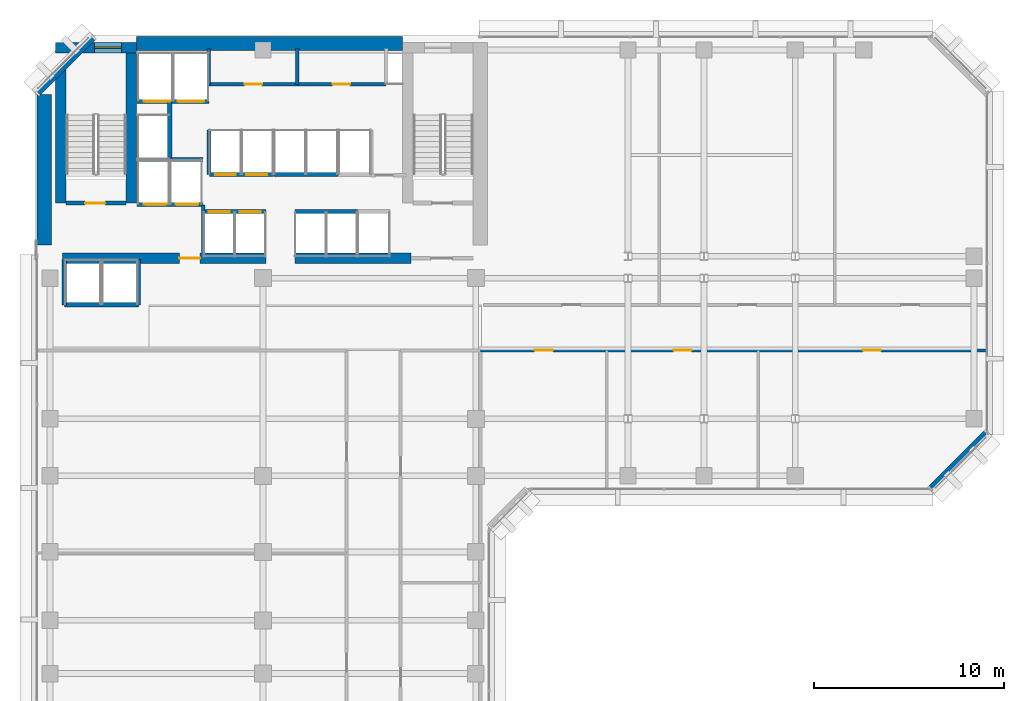
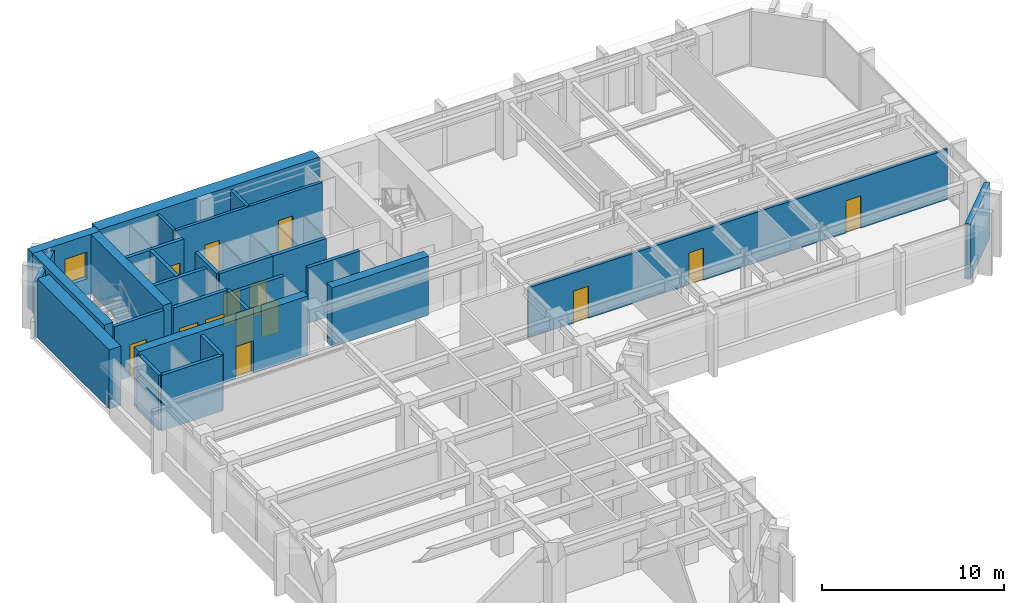
# One storey, part 7 of 12: 27 walls, 15 doors, 1 window, 16 openings.
"""IFC4 building model written with IfcOpenShell, lengths in metres."""

from ifc_helpers import new_model, si_unit, direction, frame, frame_2d, origin, place, context, subcontext, project, spatial, rectangle, extrude, material, layer, layer_set, type_object, element, fill, save


model = new_model("IFC4")

# Units and contexts
model_context = context("Model", 3, precision=1e-05, world=origin(), true_north=direction((0.0, 1.0)))
body_context = subcontext(model_context, "Body", "Model", "MODEL_VIEW")
ifc_project = project(units=[si_unit("LENGTHUNIT", "METRE"), si_unit("AREAUNIT", "SQUARE_METRE"), si_unit("VOLUMEUNIT", "CUBIC_METRE"), si_unit("PLANEANGLEUNIT", "RADIAN"), si_unit("MASSUNIT", "GRAM", prefix="KILO")], contexts=[model_context])

# Site, building, storey
site_placement = place(None, origin())
site = spatial("IfcSite", under=ifc_project, at=site_placement, CompositionType="ELEMENT")
building_placement = place(site_placement, origin())
building = spatial("IfcBuilding", under=site, at=building_placement, Name="Kefirva Bronze Tower", CompositionType="ELEMENT")
storey_placement = place(building_placement, frame((0.0, 0.0, 122.429931640625)))
storey = spatial("IfcBuildingStorey", under=building, at=storey_placement, Name="L29", CompositionType="ELEMENT", Elevation=122.429931640625)

# Wall, opening, door
ifc_material_1 = material(Name="Gypsum fireboard shaftwall")
ifc_layer_1 = layer(ifc_material_1, 0.219970703125, Name="Gypsum fireboard shaftwall")
ifc_layer_set_1 = layer_set([ifc_layer_1], Name="Gypsum fireboard shaftwall")
wall_type_1 = type_object("IfcWallType", Name="Fire-Rated Shaft Enclosure Wall 220mm", PredefinedType="PARTITIONING", material=ifc_layer_set_1)
wall_1_placement = place(storey_placement, frame((1.64990234375, 37.14990234375, 0.0), z_axis=(0.0, 0.0, 1.0), x_axis=(1.0, 0.0, 0.0)))
wall_1 = element("IfcWall", 1, at=wall_1_placement, inside=storey, type_object=wall_type_1, Name="L29 Partition W-L29-ST1S", PredefinedType="PARTITIONING", context=body_context, shape_type="SweptSolid", body=[
    extrude(rectangle(XDim=3.150146484375, YDim=0.219970703125, at=frame_2d((1.5751953125, 0.0))), origin(), (0.0, 0.0, 1.0), 3.7099609375),
])
opening_1_placement = place(wall_1_placement, frame((2.050048828125, 0.0, 0.0), z_axis=(0.0, 0.0, 1.0), x_axis=(-1.0, 0.0, 0.0)))
opening_1 = element("IfcOpeningElement", 2, at=opening_1_placement, cuts=wall_1, Name="Opening L29-D001", PredefinedType="OPENING", context=body_context, shape_type="SweptSolid", body=[
    extrude(rectangle(XDim=1.050048828125, YDim=2.14990234375, at=frame_2d((0.52490234375, 1.074951171875))), frame((0.0, 0.1201171875, 0.0), z_axis=(0.0, -1.0, 0.0), x_axis=(1.0, 0.0, 0.0)), (0.0, 0.0, 1.0), 0.239990234375),
])
ifc_material_2 = material(Name="Painted galvanized steel", Category="steel")
door_type_1 = type_object("IfcDoorType", Name="Fire Stair Enclosure Door 1050x2150 FD90S", OperationType="NOTDEFINED", PredefinedType="DOOR", material=ifc_material_2)
door_1_placement = place(opening_1_placement, origin())
door_1 = element("IfcDoor", 3, at=door_1_placement, inside=storey, type_object=door_type_1, Name="Door L29-D001", OperationType="SINGLE_SWING_LEFT", OverallHeight=2.14990234375, OverallWidth=1.050048828125, PredefinedType="DOOR", context=body_context, shape_type="SweptSolid", body=[
    extrude(rectangle(XDim=1.050048828125, YDim=2.14990234375, at=frame_2d((0.52490234375, 1.074951171875))), frame((0.0, 0.02490234375, 0.0), z_axis=(0.0, -1.0, 0.0), x_axis=(1.0, 0.0, 0.0)), (0.0, 0.0, 1.0), 0.050048828125),
])
fill(opening_1, door_1)

# Wall, openings, doors
wall_2_placement = place(storey_placement, frame((5.3798828125, 37.080078125, 0.0), z_axis=(0.0, 0.0, 1.0), x_axis=(1.0, 0.0, 0.0)))
wall_2 = element("IfcWall", 4, at=wall_2_placement, inside=storey, type_object=wall_type_1, Name="L29 Partition W-L29-FFS", PredefinedType="PARTITIONING", context=body_context, shape_type="SweptSolid", body=[
    extrude(rectangle(XDim=3.460205078125, YDim=0.219970703125, at=frame_2d((1.72998046875, 0.0))), origin(), (0.0, 0.0, 1.0), 3.7099609375),
])
opening_2_placement = place(wall_2_placement, frame((1.550048828125, 0.0, 0.0), z_axis=(0.0, 0.0, 1.0), x_axis=(-1.0, 0.0, 0.0)))
opening_2 = element("IfcOpeningElement", 5, at=opening_2_placement, cuts=wall_2, Name="Opening L29-LD-FF1", PredefinedType="OPENING", context=body_context, shape_type="SweptSolid", body=[
    extrude(rectangle(XDim=1.199951171875, YDim=2.199951171875, at=frame_2d((0.60009765625, 1.10009765625))), frame((0.0, 0.1201171875, 0.0), z_axis=(0.0, -1.0, 0.0), x_axis=(1.0, 0.0, 0.0)), (0.0, 0.0, 1.0), 0.239990234375),
])
opening_3_placement = place(wall_2_placement, frame((3.219970703125, 0.0, 0.0), z_axis=(0.0, 0.0, 1.0), x_axis=(-1.0, 0.0, 0.0)))
opening_3 = element("IfcOpeningElement", 6, at=opening_3_placement, cuts=wall_2, Name="Opening L29-LD-FF2", PredefinedType="OPENING", context=body_context, shape_type="SweptSolid", body=[
    extrude(rectangle(XDim=1.199951171875, YDim=2.199951171875, at=frame_2d((0.60009765625, 1.10009765625))), frame((0.0, 0.1201171875, 0.0), z_axis=(0.0, -1.0, 0.0), x_axis=(1.0, 0.0, 0.0)), (0.0, 0.0, 1.0), 0.239990234375),
])
ifc_material_3 = material(Name="Stainless steel 316", Category="steel")
door_type_2 = type_object("IfcDoorType", Name="Firefighting Lift Sliding Door 1200x2200", OperationType="SLIDING_TO_RIGHT", PredefinedType="DOOR", material=ifc_material_3)
door_2_placement = place(opening_2_placement, origin())
door_2 = element("IfcDoor", 7, at=door_2_placement, inside=storey, type_object=door_type_2, Name="Door L29-LD-FF1", OperationType="SLIDING_TO_RIGHT", OverallHeight=2.199951171875, OverallWidth=1.199951171875, PredefinedType="DOOR", context=body_context, shape_type="SweptSolid", body=[
    extrude(rectangle(XDim=1.199951171875, YDim=2.199951171875, at=frame_2d((0.60009765625, 1.10009765625))), frame((0.0, 0.02490234375, 0.0), z_axis=(0.0, -1.0, 0.0), x_axis=(1.0, 0.0, 0.0)), (0.0, 0.0, 1.0), 0.050048828125),
])
fill(opening_2, door_2)
door_3_placement = place(opening_3_placement, origin())
door_3 = element("IfcDoor", 8, at=door_3_placement, inside=storey, type_object=door_type_2, Name="Door L29-LD-FF2", OperationType="SLIDING_TO_RIGHT", OverallHeight=2.199951171875, OverallWidth=1.199951171875, PredefinedType="DOOR", context=body_context, shape_type="SweptSolid", body=[
    extrude(rectangle(XDim=1.199951171875, YDim=2.199951171875, at=frame_2d((0.60009765625, 1.10009765625))), frame((0.0, 0.02490234375, 0.0), z_axis=(0.0, -1.0, 0.0), x_axis=(1.0, 0.0, 0.0)), (0.0, 0.0, 1.0), 0.050048828125),
])
fill(opening_3, door_3)

# Wall
wall_3_placement = place(storey_placement, frame((5.3798828125, 39.449951171875, 0.0), z_axis=(0.0, 0.0, 1.0), x_axis=(1.0, 0.0, 0.0)))
element("IfcWall", 9, at=wall_3_placement, inside=storey, type_object=wall_type_1, Name="L29 Partition W-L29-FFN", PredefinedType="PARTITIONING", context=body_context, shape_type="SweptSolid", body=[
    extrude(rectangle(XDim=3.460205078125, YDim=0.219970703125, at=frame_2d((1.72998046875, 0.0))), origin(), (0.0, 0.0, 1.0), 3.7099609375),
])

# Wall, openings, doors
wall_4_placement = place(storey_placement, frame((5.3798828125, 42.5, 0.0), z_axis=(0.0, 0.0, 1.0), x_axis=(1.0, 0.0, 0.0)))
wall_4 = element("IfcWall", 10, at=wall_4_placement, inside=storey, type_object=wall_type_1, Name="L29 Partition W-L29-SVS", PredefinedType="PARTITIONING", context=body_context, shape_type="SweptSolid", body=[
    extrude(rectangle(XDim=3.77001953125, YDim=0.219970703125, at=frame_2d((1.885009765625, 0.0))), origin(), (0.0, 0.0, 1.0), 3.7099609375),
])
opening_4_placement = place(wall_4_placement, frame((1.75, 0.0, 0.0), z_axis=(0.0, 0.0, 1.0), x_axis=(-1.0, 0.0, 0.0)))
opening_4 = element("IfcOpeningElement", 11, at=opening_4_placement, cuts=wall_4, Name="Opening L29-LD-SV1", PredefinedType="OPENING", context=body_context, shape_type="SweptSolid", body=[
    extrude(rectangle(XDim=1.39990234375, YDim=2.199951171875, at=frame_2d((0.699951171875, 1.10009765625))), frame((0.0, 0.1201171875, 0.0), z_axis=(0.0, -1.0, 0.0), x_axis=(1.0, 0.0, 0.0)), (0.0, 0.0, 1.0), 0.239990234375),
])
opening_5_placement = place(wall_4_placement, frame((3.52978515625, 0.0, 0.0), z_axis=(0.0, 0.0, 1.0), x_axis=(-1.0, 0.0, 0.0)))
opening_5 = element("IfcOpeningElement", 12, at=opening_5_placement, cuts=wall_4, Name="Opening L29-LD-SV2", PredefinedType="OPENING", context=body_context, shape_type="SweptSolid", body=[
    extrude(rectangle(XDim=1.39990234375, YDim=2.199951171875, at=frame_2d((0.699951171875, 1.10009765625))), frame((0.0, 0.1201171875, 0.0), z_axis=(0.0, -1.0, 0.0), x_axis=(1.0, 0.0, 0.0)), (0.0, 0.0, 1.0), 0.239990234375),
])
door_type_3 = type_object("IfcDoorType", Name="Goods Lift Bi-Parting Sliding Door 1400x2200", OperationType="SLIDING_TO_LEFT", PredefinedType="DOOR", material=ifc_material_3)
door_4_placement = place(opening_4_placement, origin())
door_4 = element("IfcDoor", 13, at=door_4_placement, inside=storey, type_object=door_type_3, Name="Door L29-LD-SV1", OperationType="SLIDING_TO_LEFT", OverallHeight=2.199951171875, OverallWidth=1.39990234375, PredefinedType="DOOR", context=body_context, shape_type="SweptSolid", body=[
    extrude(rectangle(XDim=1.39990234375, YDim=2.199951171875, at=frame_2d((0.699951171875, 1.10009765625))), frame((0.0, 0.02490234375, 0.0), z_axis=(0.0, -1.0, 0.0), x_axis=(1.0, 0.0, 0.0)), (0.0, 0.0, 1.0), 0.050048828125),
])
fill(opening_4, door_4)
door_5_placement = place(opening_5_placement, origin())
door_5 = element("IfcDoor", 14, at=door_5_placement, inside=storey, type_object=door_type_3, Name="Door L29-LD-SV2", OperationType="SLIDING_TO_LEFT", OverallHeight=2.199951171875, OverallWidth=1.39990234375, PredefinedType="DOOR", context=body_context, shape_type="SweptSolid", body=[
    extrude(rectangle(XDim=1.39990234375, YDim=2.199951171875, at=frame_2d((0.699951171875, 1.10009765625))), frame((0.0, 0.02490234375, 0.0), z_axis=(0.0, -1.0, 0.0), x_axis=(1.0, 0.0, 0.0)), (0.0, 0.0, 1.0), 0.050048828125),
])
fill(opening_5, door_5)

# Walls
wall_5_placement = place(storey_placement, frame((7.10009765625, 39.52001953125, 0.0), z_axis=(0.0, 0.0, 1.0), x_axis=(0.0, 1.0, 0.0)))
element("IfcWall", 15, at=wall_5_placement, inside=storey, type_object=wall_type_1, Name="L29 Partition W-L29-HP3E", PredefinedType="PARTITIONING", context=body_context, shape_type="SweptSolid", body=[
    extrude(rectangle(XDim=2.929931640625, YDim=0.219970703125, at=frame_2d((1.46484375, 0.0))), origin(), (0.0, 0.0, 1.0), 3.7099609375),
])
wall_6_placement = place(storey_placement, frame((1.550048828125, 31.800048828125, 0.0), z_axis=(0.0, 0.0, 1.0), x_axis=(1.0, 0.0, 0.0)))
element("IfcWall", 16, at=wall_6_placement, inside=storey, type_object=wall_type_1, Name="L29 Partition W-L29-OBS", PredefinedType="PARTITIONING", context=body_context, shape_type="SweptSolid", body=[
    extrude(rectangle(XDim=3.89990234375, YDim=0.219970703125, at=frame_2d((1.949951171875, 0.0))), origin(), (0.0, 0.0, 1.0), 3.7099609375),
])
for number, where, z_axis, x_axis, name in (
    (17, (1.550048828125, 31.800048828125, 0.0), (0.0, 0.0, 1.0), (0.0, 1.0, 0.0), "L29 Partition W-L29-OBW"),
    (18, (5.449951171875, 31.800048828125, 0.0), (0.0, 0.0, 1.0), (0.0, 1.0, 0.0), "L29 Partition W-L29-OBE"),
):
    element("IfcWall", number, at=place(storey_placement, frame(where, z_axis=z_axis, x_axis=x_axis)), inside=storey, type_object=wall_type_1, Name=name, PredefinedType="PARTITIONING", context=body_context, shape_type="SweptSolid", body=[
        extrude(rectangle(XDim=2.3798828125, YDim=0.219970703125, at=frame_2d((1.18994140625, 0.0))), origin(), (0.0, 0.0, 1.0), 3.7099609375),
    ])
wall_7_placement = place(storey_placement, frame((9.159912109375, 38.64990234375, 0.0), z_axis=(0.0, 0.0, 1.0), x_axis=(0.0, 1.0, 0.0)))
element("IfcWall", 19, at=wall_7_placement, inside=storey, type_object=wall_type_1, Name="L29 Partition W-L29-LP3W", PredefinedType="PARTITIONING", context=body_context, shape_type="SweptSolid", body=[
    extrude(rectangle(XDim=2.35009765625, YDim=0.199951171875, at=frame_2d((1.175048828125, 0.0))), origin(), (0.0, 0.0, 1.0), 3.7099609375),
])

# Wall, openings, doors
wall_8_placement = place(storey_placement, frame((8.89990234375, 36.699951171875, 0.0), z_axis=(0.0, 0.0, 1.0), x_axis=(1.0, 0.0, 0.0)))
wall_8 = element("IfcWall", 20, at=wall_8_placement, inside=storey, type_object=wall_type_1, Name="L29 Partition W-L29-LPS", PredefinedType="PARTITIONING", context=body_context, shape_type="SweptSolid", body=[
    extrude(rectangle(XDim=3.260009765625, YDim=0.219970703125, at=frame_2d((1.6298828125, 0.0))), origin(), (0.0, 0.0, 1.0), 3.7099609375),
])
opening_6_placement = place(wall_8_placement, frame((0.260009765625, 0.0, 0.0)))
opening_6 = element("IfcOpeningElement", 21, at=opening_6_placement, cuts=wall_8, Name="Opening L29-LD-LP1", PredefinedType="OPENING", context=body_context, shape_type="SweptSolid", body=[
    extrude(rectangle(XDim=1.10009765625, YDim=2.199951171875, at=frame_2d((0.550048828125, 1.10009765625))), frame((0.0, 0.1201171875, 0.0), z_axis=(0.0, -1.0, 0.0), x_axis=(1.0, 0.0, 0.0)), (0.0, 0.0, 1.0), 0.239990234375),
])
opening_7_placement = place(wall_8_placement, frame((1.8798828125, 0.0, 0.0)))
opening_7 = element("IfcOpeningElement", 22, at=opening_7_placement, cuts=wall_8, Name="Opening L29-LD-LP2", PredefinedType="OPENING", context=body_context, shape_type="SweptSolid", body=[
    extrude(rectangle(XDim=1.10009765625, YDim=2.199951171875, at=frame_2d((0.550048828125, 1.10009765625))), frame((0.0, 0.1201171875, 0.0), z_axis=(0.0, -1.0, 0.0), x_axis=(1.0, 0.0, 0.0)), (0.0, 0.0, 1.0), 0.239990234375),
])
door_type_4 = type_object("IfcDoorType", Name="Passenger Lift Sliding Landing Door 1100x2200", OperationType="SLIDING_TO_LEFT", PredefinedType="DOOR", material=ifc_material_3)
door_6_placement = place(opening_6_placement, origin())
door_6 = element("IfcDoor", 23, at=door_6_placement, inside=storey, type_object=door_type_4, Name="Door L29-LD-LP1", OperationType="SLIDING_TO_LEFT", OverallHeight=2.199951171875, OverallWidth=1.10009765625, PredefinedType="DOOR", context=body_context, shape_type="SweptSolid", body=[
    extrude(rectangle(XDim=1.10009765625, YDim=2.199951171875, at=frame_2d((0.550048828125, 1.10009765625))), frame((0.0, 0.02490234375, 0.0), z_axis=(0.0, -1.0, 0.0), x_axis=(1.0, 0.0, 0.0)), (0.0, 0.0, 1.0), 0.050048828125),
])
fill(opening_6, door_6)
door_7_placement = place(opening_7_placement, origin())
door_7 = element("IfcDoor", 24, at=door_7_placement, inside=storey, type_object=door_type_4, Name="Door L29-LD-LP2", OperationType="SLIDING_TO_LEFT", OverallHeight=2.199951171875, OverallWidth=1.10009765625, PredefinedType="DOOR", context=body_context, shape_type="SweptSolid", body=[
    extrude(rectangle(XDim=1.10009765625, YDim=2.199951171875, at=frame_2d((0.550048828125, 1.10009765625))), frame((0.0, 0.02490234375, 0.0), z_axis=(0.0, -1.0, 0.0), x_axis=(1.0, 0.0, 0.0)), (0.0, 0.0, 1.0), 0.050048828125),
])
fill(opening_7, door_7)

wall_9_placement = place(storey_placement, frame((9.179931640625, 38.64990234375, 0.0), z_axis=(0.0, 0.0, 1.0), x_axis=(1.0, 0.0, 0.0)))
wall_9 = element("IfcWall", 25, at=wall_9_placement, inside=storey, type_object=wall_type_1, Name="L29 Partition W-L29-LPN", PredefinedType="PARTITIONING", context=body_context, shape_type="SweptSolid", body=[
    extrude(rectangle(XDim=3.380126953125, YDim=0.219970703125, at=frame_2d((1.68994140625, 0.0))), origin(), (0.0, 0.0, 1.0), 3.7099609375),
])
opening_8_placement = place(wall_9_placement, frame((0.300048828125, 0.0, 0.0)))
opening_8 = element("IfcOpeningElement", 26, at=opening_8_placement, cuts=wall_9, Name="Opening L29-LD-LP3", PredefinedType="OPENING", context=body_context, shape_type="SweptSolid", body=[
    extrude(rectangle(XDim=1.10009765625, YDim=2.199951171875, at=frame_2d((0.550048828125, 1.10009765625))), frame((0.0, 0.1201171875, 0.0), z_axis=(0.0, -1.0, 0.0), x_axis=(1.0, 0.0, 0.0)), (0.0, 0.0, 1.0), 0.239990234375),
])
opening_9_placement = place(wall_9_placement, frame((1.949951171875, 0.0, 0.0)))
opening_9 = element("IfcOpeningElement", 27, at=opening_9_placement, cuts=wall_9, Name="Opening L29-LD-LP4", PredefinedType="OPENING", context=body_context, shape_type="SweptSolid", body=[
    extrude(rectangle(XDim=1.10009765625, YDim=2.199951171875, at=frame_2d((0.550048828125, 1.10009765625))), frame((0.0, 0.1201171875, 0.0), z_axis=(0.0, -1.0, 0.0), x_axis=(1.0, 0.0, 0.0)), (0.0, 0.0, 1.0), 0.239990234375),
])
door_8_placement = place(opening_8_placement, origin())
door_8 = element("IfcDoor", 28, at=door_8_placement, inside=storey, type_object=door_type_4, Name="Door L29-LD-LP3", OperationType="SLIDING_TO_LEFT", OverallHeight=2.199951171875, OverallWidth=1.10009765625, PredefinedType="DOOR", context=body_context, shape_type="SweptSolid", body=[
    extrude(rectangle(XDim=1.10009765625, YDim=2.199951171875, at=frame_2d((0.550048828125, 1.10009765625))), frame((0.0, 0.02490234375, 0.0), z_axis=(0.0, -1.0, 0.0), x_axis=(1.0, 0.0, 0.0)), (0.0, 0.0, 1.0), 0.050048828125),
])
fill(opening_8, door_8)
door_9_placement = place(opening_9_placement, origin())
door_9 = element("IfcDoor", 29, at=door_9_placement, inside=storey, type_object=door_type_4, Name="Door L29-LD-LP4", OperationType="SLIDING_TO_LEFT", OverallHeight=2.199951171875, OverallWidth=1.10009765625, PredefinedType="DOOR", context=body_context, shape_type="SweptSolid", body=[
    extrude(rectangle(XDim=1.10009765625, YDim=2.199951171875, at=frame_2d((0.550048828125, 1.10009765625))), frame((0.0, 0.02490234375, 0.0), z_axis=(0.0, -1.0, 0.0), x_axis=(1.0, 0.0, 0.0)), (0.0, 0.0, 1.0), 0.050048828125),
])
fill(opening_9, door_9)

# Walls
wall_10_placement = place(storey_placement, frame((13.679931640625, 36.699951171875, 0.0), z_axis=(0.0, 0.0, 1.0), x_axis=(1.0, 0.0, 0.0)))
element("IfcWall", 30, at=wall_10_placement, inside=storey, type_object=wall_type_1, Name="L29 Partition W-L29-MPS", PredefinedType="PARTITIONING", context=body_context, shape_type="SweptSolid", body=[
    extrude(rectangle(XDim=3.280029296875, YDim=0.219970703125, at=frame_2d((1.64013671875, 0.0))), origin(), (0.0, 0.0, 1.0), 3.7099609375),
])
wall_11_placement = place(storey_placement, frame((12.580078125, 38.64990234375, 0.0), z_axis=(0.0, 0.0, 1.0), x_axis=(1.0, 0.0, 0.0)))
element("IfcWall", 31, at=wall_11_placement, inside=storey, type_object=wall_type_1, Name="L29 Partition W-L29-MPN", PredefinedType="PARTITIONING", context=body_context, shape_type="SweptSolid", body=[
    extrude(rectangle(XDim=3.3798828125, YDim=0.219970703125, at=frame_2d((1.68994140625, 0.0))), origin(), (0.0, 0.0, 1.0), 3.7099609375),
])
ifc_material_4 = material(Name="Gypsum fireboard barrier")
ifc_layer_2 = layer(ifc_material_4, 0.199951171875, Name="Gypsum fireboard barrier")
ifc_layer_set_2 = layer_set([ifc_layer_2], Name="Gypsum fireboard barrier")
wall_type_2 = type_object("IfcWallType", Name="Firefighting Lobby Barrier Wall 200mm", PredefinedType="PARTITIONING", material=ifc_layer_set_2)
wall_12_placement = place(storey_placement, frame((8.860107421875, 34.550048828125, 0.0), z_axis=(0.0, 0.0, 1.0), x_axis=(0.0, 1.0, 0.0)))
element("IfcWall", 32, at=wall_12_placement, inside=storey, type_object=wall_type_2, Name="L29 Partition W-L29-FFLE", PredefinedType="PARTITIONING", context=body_context, shape_type="SweptSolid", body=[
    extrude(rectangle(XDim=2.5, YDim=0.199951171875, at=frame_2d((1.25, 0.0))), origin(), (0.0, 0.0, 1.0), 3.7099609375),
])
ifc_material_5 = material(Name="Precast concrete C40/50", Category="concrete")
ifc_layer_3 = layer(ifc_material_5, 0.320068359375, Name="Precast concrete C40/50")
ifc_layer_set_3 = layer_set([ifc_layer_3], Name="Precast concrete C40/50")
wall_type_3 = type_object("IfcWallType", Name="Precast Insulated Exterior Wall 320mm", PredefinedType="SOLIDWALL", material=ifc_layer_set_3)
for number, where, z_axis, x_axis, name in (
    (33, (47.125732421875, 22.152099609375, 0.0), (0.0, 0.0, 1.0), (0.707136318428, 0.707077242712, 0.0), "L29 Exterior Facade Wall 3"),
    (34, (3.07421875, 45.847900390625, 0.0), (0.0, 0.0, 1.0), (-0.707106781187, -0.707106781187, 0.0), "L29 Exterior Facade Wall 5"),
):
    element("IfcWall", number, at=place(storey_placement, frame(where, z_axis=z_axis, x_axis=x_axis)), inside=storey, type_object=wall_type_3, Name=name, PredefinedType="SOLIDWALL", context=body_context, shape_type="SweptSolid", body=[
        extrude(rectangle(XDim=4.132568359375, YDim=0.320068359375, at=frame_2d((2.06640625, 0.0))), origin(), (0.0, 0.0, 1.0), 3.7099609375),
    ])

# Wall, openings, doors
ifc_material_6 = material(Name="Gypsum acoustic partition")
ifc_layer_4 = layer(ifc_material_6, 0.159912109375, Name="Gypsum acoustic partition")
ifc_layer_set_4 = layer_set([ifc_layer_4], Name="Gypsum acoustic partition")
wall_type_4 = type_object("IfcWallType", Name="Protected Corridor Partition 160mm", PredefinedType="PARTITIONING", material=ifc_layer_set_4)
wall_13_placement = place(storey_placement, frame((23.449951171875, 29.39990234375, 0.0), z_axis=(0.0, 0.0, 1.0), x_axis=(1.0, 0.0, 0.0)))
wall_13 = element("IfcWall", 35, at=wall_13_placement, inside=storey, type_object=wall_type_4, Name="L29 Partition W-L29-EWS", PredefinedType="PARTITIONING", context=body_context, shape_type="SweptSolid", body=[
    extrude(rectangle(XDim=26.56005859375, YDim=0.159912109375, at=frame_2d((13.280029296875, 0.0))), origin(), (0.0, 0.0, 1.0), 3.364990234375),
])
opening_10_placement = place(wall_13_placement, frame((3.794921875, 0.0, 0.0), z_axis=(0.0, 0.0, 1.0), x_axis=(-1.0, 0.0, 0.0)))
opening_10 = element("IfcOpeningElement", 36, at=opening_10_placement, cuts=wall_13, Name="Opening L29-D-ES1", PredefinedType="OPENING", context=body_context, shape_type="SweptSolid", body=[
    extrude(rectangle(XDim=0.949951171875, YDim=2.14990234375, at=frame_2d((0.47509765625, 1.074951171875))), frame((0.0, 0.08984375, 0.0), z_axis=(0.0, -1.0, 0.0), x_axis=(1.0, 0.0, 0.0)), (0.0, 0.0, 1.0), 0.179931640625),
])
opening_11_placement = place(wall_13_placement, frame((11.098876953125, 0.0, 0.0), z_axis=(0.0, 0.0, 1.0), x_axis=(-1.0, 0.0, 0.0)))
opening_11 = element("IfcOpeningElement", 37, at=opening_11_placement, cuts=wall_13, Name="Opening L29-D-ES2", PredefinedType="OPENING", context=body_context, shape_type="SweptSolid", body=[
    extrude(rectangle(XDim=0.949951171875, YDim=2.14990234375, at=frame_2d((0.47509765625, 1.074951171875))), frame((0.0, 0.08984375, 0.0), z_axis=(0.0, -1.0, 0.0), x_axis=(1.0, 0.0, 0.0)), (0.0, 0.0, 1.0), 0.179931640625),
])
opening_12_placement = place(wall_13_placement, frame((21.058837890625, 0.0, 0.0), z_axis=(0.0, 0.0, 1.0), x_axis=(-1.0, 0.0, 0.0)))
opening_12 = element("IfcOpeningElement", 38, at=opening_12_placement, cuts=wall_13, Name="Opening L29-D-ES3", PredefinedType="OPENING", context=body_context, shape_type="SweptSolid", body=[
    extrude(rectangle(XDim=0.949951171875, YDim=2.14990234375, at=frame_2d((0.47509765625, 1.074951171875))), frame((0.0, 0.08984375, 0.0), z_axis=(0.0, -1.0, 0.0), x_axis=(1.0, 0.0, 0.0)), (0.0, 0.0, 1.0), 0.179931640625),
])
ifc_material_7 = material(Name="Acoustic hardwood oak", Category="wood")
door_type_5 = type_object("IfcDoorType", Name="Office & Meeting Room Door 950x2150", OperationType="NOTDEFINED", PredefinedType="DOOR", material=ifc_material_7)
door_10_placement = place(opening_10_placement, origin())
door_10 = element("IfcDoor", 39, at=door_10_placement, inside=storey, type_object=door_type_5, Name="Door L29-D-ES1", OperationType="SINGLE_SWING_RIGHT", OverallHeight=2.14990234375, OverallWidth=0.949951171875, PredefinedType="DOOR", context=body_context, shape_type="SweptSolid", body=[
    extrude(rectangle(XDim=0.949951171875, YDim=2.14990234375, at=frame_2d((0.47509765625, 1.074951171875))), frame((0.0, 0.02490234375, 0.0), z_axis=(0.0, -1.0, 0.0), x_axis=(1.0, 0.0, 0.0)), (0.0, 0.0, 1.0), 0.050048828125),
])
fill(opening_10, door_10)
door_11_placement = place(opening_11_placement, origin())
door_11 = element("IfcDoor", 40, at=door_11_placement, inside=storey, type_object=door_type_5, Name="Door L29-D-ES2", OperationType="SINGLE_SWING_LEFT", OverallHeight=2.14990234375, OverallWidth=0.949951171875, PredefinedType="DOOR", context=body_context, shape_type="SweptSolid", body=[
    extrude(rectangle(XDim=0.949951171875, YDim=2.14990234375, at=frame_2d((0.47509765625, 1.074951171875))), frame((0.0, 0.02490234375, 0.0), z_axis=(0.0, -1.0, 0.0), x_axis=(1.0, 0.0, 0.0)), (0.0, 0.0, 1.0), 0.050048828125),
])
fill(opening_11, door_11)
door_12_placement = place(opening_12_placement, origin())
door_12 = element("IfcDoor", 41, at=door_12_placement, inside=storey, type_object=door_type_5, Name="Door L29-D-ES3", OperationType="SINGLE_SWING_RIGHT", OverallHeight=2.14990234375, OverallWidth=0.949951171875, PredefinedType="DOOR", context=body_context, shape_type="SweptSolid", body=[
    extrude(rectangle(XDim=0.949951171875, YDim=2.14990234375, at=frame_2d((0.47509765625, 1.074951171875))), frame((0.0, 0.02490234375, 0.0), z_axis=(0.0, -1.0, 0.0), x_axis=(1.0, 0.0, 0.0)), (0.0, 0.0, 1.0), 0.050048828125),
])
fill(opening_12, door_12)

# Wall, opening, window
ifc_material_8 = material(Name="Concrete C50/60", Category="concrete")
ifc_layer_5 = layer(ifc_material_8, 0.550048828125, Name="Concrete C50/60")
ifc_layer_set_5 = layer_set([ifc_layer_5], Name="Concrete C50/60")
wall_type_5 = type_object("IfcWallType", Name="RC Rear Core Exterior Wall 550mm", PredefinedType="SHEAR", material=ifc_layer_set_5)
wall_14_placement = place(storey_placement, frame((1.10009765625, 45.320068359375, 0.0), z_axis=(0.0, 0.0, 1.0), x_axis=(1.0, 0.0, 0.0)))
wall_14 = element("IfcWall", 42, at=wall_14_placement, inside=storey, type_object=wall_type_5, Name="L29 Stair 1 North Shear Wall", PredefinedType="SHEAR", context=body_context, shape_type="SweptSolid", body=[
    extrude(rectangle(XDim=4.239990234375, YDim=0.550048828125, at=frame_2d((2.1201171875, 0.0))), origin(), (0.0, 0.0, 1.0), 3.9599609375),
])
opening_13_placement = place(wall_14_placement, frame((2.050048828125, 0.0, 1.050048828125)))
opening_13 = element("IfcOpeningElement", 43, at=opening_13_placement, cuts=wall_14, Name="Opening WN-03", PredefinedType="OPENING", context=body_context, shape_type="SweptSolid", body=[
    extrude(rectangle(XDim=1.39990234375, YDim=1.800048828125, at=frame_2d((0.699951171875, 0.89990234375))), frame((0.0, 0.28515625, 0.0), z_axis=(0.0, -1.0, 0.0), x_axis=(1.0, 0.0, 0.0)), (0.0, 0.0, 1.0), 0.570068359375),
])
ifc_material_9 = material(Name="Laminated low-E double glazing", Category="glass")
window_type = type_object("IfcWindowType", Name="Rear-Core Stair Daylight Window 1400x1800", PartitioningType="SINGLE_PANEL", PredefinedType="WINDOW", material=ifc_material_9)
window_placement = place(opening_13_placement, origin())
window = element("IfcWindow", 44, at=window_placement, inside=storey, type_object=window_type, Name="L29 Stair 1 Daylight Window", OverallHeight=1.800048828125, OverallWidth=1.39990234375, PartitioningType="SINGLE_PANEL", PredefinedType="WINDOW", context=body_context, shape_type="SweptSolid", body=[
    extrude(rectangle(XDim=1.39990234375, YDim=1.800048828125, at=frame_2d((0.699951171875, 0.89990234375))), frame((0.0, 0.030029296875, 0.0), z_axis=(0.0, -1.0, 0.0), x_axis=(1.0, 0.0, 0.0)), (0.0, 0.0, 1.0), 0.06005859375),
])
fill(opening_13, window)

# Walls
ifc_material_10 = material(Name="Concrete C60/75", Category="concrete")
ifc_layer_6 = layer(ifc_material_10, 0.75, Name="Concrete C60/75")
ifc_layer_set_6 = layer_set([ifc_layer_6], Name="Concrete C60/75")
wall_type_6 = type_object("IfcWallType", Name="RC Rear Core Exterior Wall 750mm", PredefinedType="SHEAR", material=ifc_layer_set_6)
wall_15_placement = place(storey_placement, frame((5.360107421875, 45.550048828125, 0.0), z_axis=(0.0, 0.0, 1.0), x_axis=(1.0, 0.0, 0.0)))
element("IfcWall", 45, at=wall_15_placement, inside=storey, type_object=wall_type_6, Name="L29 Rear Core North Shear Wall", PredefinedType="SHEAR", context=body_context, shape_type="SweptSolid", body=[
    extrude(rectangle(XDim=13.97998046875, YDim=0.75, at=frame_2d((6.989990234375, 0.0))), origin(), (0.0, 0.0, 1.0), 3.9599609375),
])
wall_16_placement = place(storey_placement, frame((0.5, 34.949951171875, 0.0), z_axis=(0.0, 0.0, 1.0), x_axis=(0.0, 1.0, 0.0)))
element("IfcWall", 46, at=wall_16_placement, inside=storey, type_object=wall_type_6, Name="L29 Rear Core West Shear Wall", PredefinedType="SHEAR", context=body_context, shape_type="SweptSolid", body=[
    extrude(rectangle(XDim=7.900146484375, YDim=0.75, at=frame_2d((3.9501953125, 0.0))), origin(), (0.0, 0.0, 1.0), 3.9599609375),
])
ifc_layer_7 = layer(ifc_material_8, 0.550048828125, Name="Concrete C50/60")
ifc_layer_set_7 = layer_set([ifc_layer_7], Name="Concrete C50/60")
wall_type_7 = type_object("IfcWallType", Name="RC Rear Core Interior Wall 550mm", PredefinedType="SHEAR", material=ifc_layer_set_7)
for number, where, z_axis, x_axis, name in (
    (47, (1.3701171875, 37.14990234375, 0.0), (0.0, 0.0, 1.0), (0.0, 1.0, 0.0), "L29 Stair 1 West Shear Wall"),
    (48, (5.070068359375, 37.14990234375, 0.0), (0.0, 0.0, 1.0), (0.0, 1.0, 0.0), "L29 Stair 1 East Shear Wall"),
):
    element("IfcWall", number, at=place(storey_placement, frame(where, z_axis=z_axis, x_axis=x_axis)), inside=storey, type_object=wall_type_7, Name=name, PredefinedType="SHEAR", context=body_context, shape_type="SweptSolid", body=[
        extrude(rectangle(XDim=7.89013671875, YDim=0.550048828125, at=frame_2d((3.945068359375, 0.0))), origin(), (0.0, 0.0, 1.0), 3.9599609375),
    ])

# Wall, opening, door
ifc_layer_8 = layer(ifc_material_10, 0.75, Name="Concrete C60/75")
ifc_layer_set_8 = layer_set([ifc_layer_8], Name="Concrete C60/75")
wall_type_8 = type_object("IfcWallType", Name="RC Rear Core Interior Wall 750mm", PredefinedType="SHEAR", material=ifc_layer_set_8)
wall_17_placement = place(storey_placement, frame((1.449951171875, 34.25, 0.0), z_axis=(0.0, 0.0, 1.0), x_axis=(1.0, 0.0, 0.0)))
wall_17 = element("IfcWall", 49, at=wall_17_placement, inside=storey, type_object=wall_type_8, Name="L29 Rear Core South-West Shear Wall", PredefinedType="SHEAR", context=body_context, shape_type="SweptSolid", body=[
    extrude(rectangle(XDim=10.7099609375, YDim=0.550048828125, at=frame_2d((5.35498046875, 0.0))), origin(), (0.0, 0.0, 1.0), 3.9599609375),
])
opening_14_placement = place(wall_17_placement, frame((7.25, 0.0, 0.0), z_axis=(0.0, 0.0, 1.0), x_axis=(-1.0, 0.0, 0.0)))
opening_14 = element("IfcOpeningElement", 50, at=opening_14_placement, cuts=wall_17, Name="Opening L29-D002", PredefinedType="OPENING", context=body_context, shape_type="SweptSolid", body=[
    extrude(rectangle(XDim=1.10009765625, YDim=2.14990234375, at=frame_2d((0.550048828125, 1.074951171875))), frame((0.0, 0.28515625, 0.0), z_axis=(0.0, -1.0, 0.0), x_axis=(1.0, 0.0, 0.0)), (0.0, 0.0, 1.0), 0.570068359375),
])
door_type_6 = type_object("IfcDoorType", Name="Firefighting Lobby Smoke Door 1100x2150 FD60S", OperationType="NOTDEFINED", PredefinedType="DOOR", material=ifc_material_2)
door_13_placement = place(opening_14_placement, origin())
door_13 = element("IfcDoor", 51, at=door_13_placement, inside=storey, type_object=door_type_6, Name="Door L29-D002", OperationType="SINGLE_SWING_RIGHT", OverallHeight=2.14990234375, OverallWidth=1.10009765625, PredefinedType="DOOR", context=body_context, shape_type="SweptSolid", body=[
    extrude(rectangle(XDim=1.10009765625, YDim=2.14990234375, at=frame_2d((0.550048828125, 1.074951171875))), frame((0.0, 0.02490234375, 0.0), z_axis=(0.0, -1.0, 0.0), x_axis=(1.0, 0.0, 0.0)), (0.0, 0.0, 1.0), 0.050048828125),
])
fill(opening_14, door_13)

# Wall
wall_18_placement = place(storey_placement, frame((13.679931640625, 34.25, 0.0), z_axis=(0.0, 0.0, 1.0), x_axis=(1.0, 0.0, 0.0)))
element("IfcWall", 52, at=wall_18_placement, inside=storey, type_object=wall_type_8, Name="L29 Rear Core South-East Shear Wall", PredefinedType="SHEAR", context=body_context, shape_type="SweptSolid", body=[
    extrude(rectangle(XDim=6.1201171875, YDim=0.550048828125, at=frame_2d((3.06005859375, 0.0))), origin(), (0.0, 0.0, 1.0), 3.9599609375),
])

# Wall, openings, doors
ifc_material_11 = material(Name="Moisture-resistant partition")
ifc_layer_9 = layer(ifc_material_11, 0.179931640625, Name="Moisture-resistant partition")
ifc_layer_set_9 = layer_set([ifc_layer_9], Name="Moisture-resistant partition")
wall_type_9 = type_object("IfcWallType", Name="Sanitary Plumbing Chase Wall 180mm", PredefinedType="PLUMBINGWALL", material=ifc_layer_set_9)
wall_19_placement = place(storey_placement, frame((9.14990234375, 43.39990234375, 0.0), z_axis=(0.0, 0.0, 1.0), x_axis=(1.0, 0.0, 0.0)))
wall_19 = element("IfcWall", 53, at=wall_19_placement, inside=storey, type_object=wall_type_9, Name="L29 Partition W-L29-SVCS", PredefinedType="PLUMBINGWALL", context=body_context, shape_type="SweptSolid", body=[
    extrude(rectangle(XDim=9.330078125, YDim=0.179931640625, at=frame_2d((4.6650390625, 0.0))), origin(), (0.0, 0.0, 1.0), 3.7099609375),
])
opening_15_placement = place(wall_19_placement, frame((1.8798828125, 0.0, 0.0)))
opening_15 = element("IfcOpeningElement", 54, at=opening_15_placement, cuts=wall_19, Name="Opening L29-D-CSVC1", PredefinedType="OPENING", context=body_context, shape_type="SweptSolid", body=[
    extrude(rectangle(XDim=0.919921875, YDim=2.10009765625, at=frame_2d((0.4599609375, 1.050048828125))), frame((0.0, 0.10009765625, 0.0), z_axis=(0.0, -1.0, 0.0), x_axis=(1.0, 0.0, 0.0)), (0.0, 0.0, 1.0), 0.199951171875),
])
opening_16_placement = place(wall_19_placement, frame((6.514892578125, 0.0, 0.0)))
opening_16 = element("IfcOpeningElement", 55, at=opening_16_placement, cuts=wall_19, Name="Opening L29-D-CSVC2", PredefinedType="OPENING", context=body_context, shape_type="SweptSolid", body=[
    extrude(rectangle(XDim=0.919921875, YDim=2.10009765625, at=frame_2d((0.4599609375, 1.050048828125))), frame((0.0, 0.10009765625, 0.0), z_axis=(0.0, -1.0, 0.0), x_axis=(1.0, 0.0, 0.0)), (0.0, 0.0, 1.0), 0.199951171875),
])
ifc_material_12 = material(Name="Moisture-resistant timber", Category="wood")
door_type_7 = type_object("IfcDoorType", Name="Accessible Sanitary & WC Door 920x2100", OperationType="NOTDEFINED", PredefinedType="DOOR", material=ifc_material_12)
door_14_placement = place(opening_15_placement, origin())
door_14 = element("IfcDoor", 56, at=door_14_placement, inside=storey, type_object=door_type_7, Name="Door L29-D-CSVC1", OperationType="SINGLE_SWING_RIGHT", OverallHeight=2.10009765625, OverallWidth=0.919921875, PredefinedType="DOOR", context=body_context, shape_type="SweptSolid", body=[
    extrude(rectangle(XDim=0.919921875, YDim=2.10009765625, at=frame_2d((0.4599609375, 1.050048828125))), frame((0.0, 0.02490234375, 0.0), z_axis=(0.0, -1.0, 0.0), x_axis=(1.0, 0.0, 0.0)), (0.0, 0.0, 1.0), 0.050048828125),
])
fill(opening_15, door_14)
door_15_placement = place(opening_16_placement, origin())
door_15 = element("IfcDoor", 57, at=door_15_placement, inside=storey, type_object=door_type_7, Name="Door L29-D-CSVC2", OperationType="SINGLE_SWING_LEFT", OverallHeight=2.10009765625, OverallWidth=0.919921875, PredefinedType="DOOR", context=body_context, shape_type="SweptSolid", body=[
    extrude(rectangle(XDim=0.919921875, YDim=2.10009765625, at=frame_2d((0.4599609375, 1.050048828125))), frame((0.0, 0.02490234375, 0.0), z_axis=(0.0, -1.0, 0.0), x_axis=(1.0, 0.0, 0.0)), (0.0, 0.0, 1.0), 0.050048828125),
])
fill(opening_16, door_15)

# Walls
for number, where, z_axis, x_axis, name in (
    (58, (9.14990234375, 43.39990234375, 0.0), (0.0, 0.0, 1.0), (0.0, 1.0, 0.0), "L29 Partition W-L29-SVCW"),
    (59, (13.800048828125, 43.39990234375, 0.0), (0.0, 0.0, 1.0), (0.0, 1.0, 0.0), "L29 Partition W-L29-CSVD-1"),
):
    element("IfcWall", number, at=place(storey_placement, frame(where, z_axis=z_axis, x_axis=x_axis)), inside=storey, type_object=wall_type_9, Name=name, PredefinedType="PLUMBINGWALL", context=body_context, shape_type="SweptSolid", body=[
        extrude(rectangle(XDim=1.880126953125, YDim=0.179931640625, at=frame_2d((0.93994140625, 0.0))), origin(), (0.0, 0.0, 1.0), 3.7099609375),
    ])

save(model, "model.ifc")
